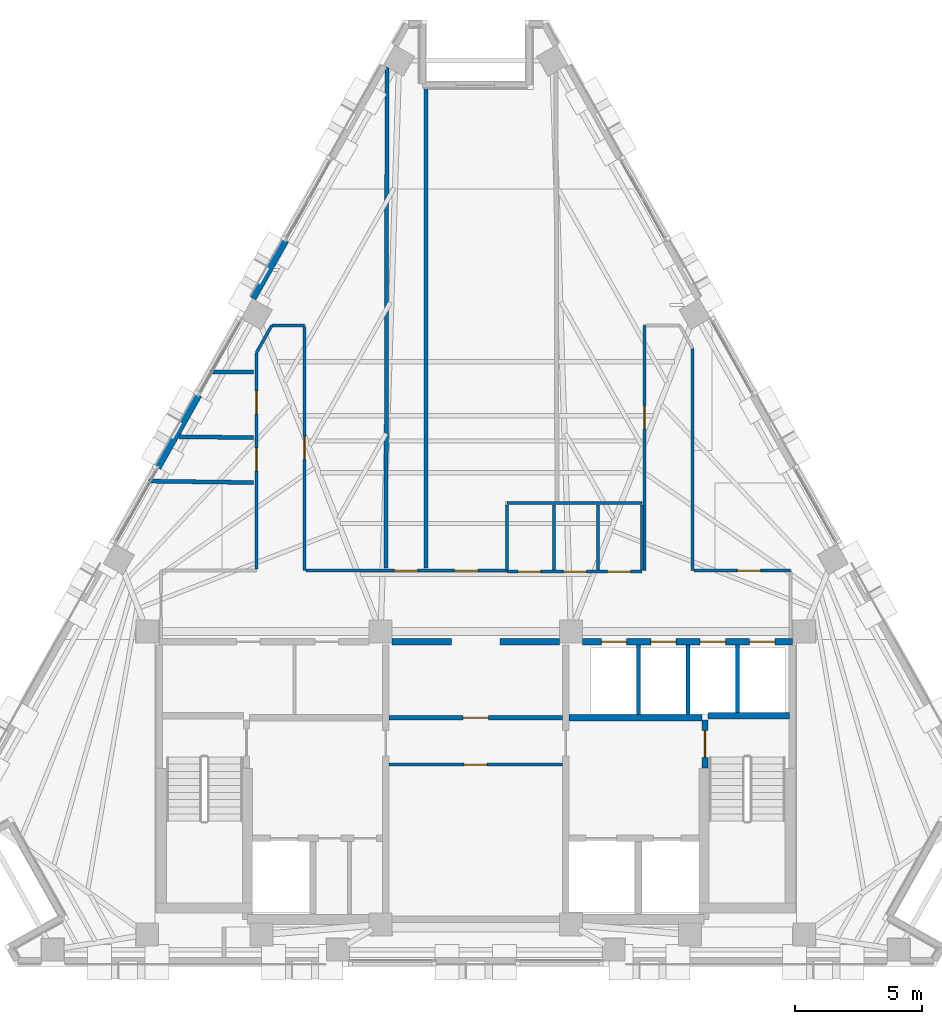
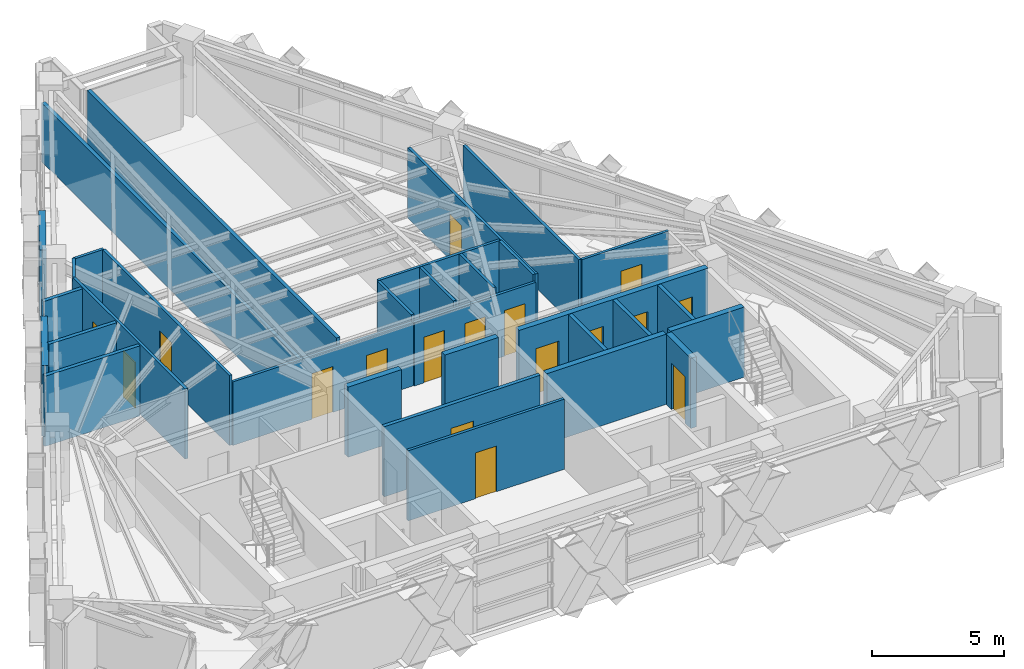
# One storey, part 8 of 12: 32 walls, 17 doors, 17 openings.
"""IFC4 building model written with IfcOpenShell, lengths in metres."""

from ifc_helpers import new_model, si_unit, direction, frame, frame_2d, origin, place, context, subcontext, project, spatial, rectangle, extrude, material, layer, layer_set, type_object, element, fill, save


model = new_model("IFC4")

# Units and contexts
model_context = context("Model", 3, precision=1e-05, world=origin(), true_north=direction((0.0, 1.0)))
body_context = subcontext(model_context, "Body", "Model", "MODEL_VIEW")
ifc_project = project(units=[si_unit("LENGTHUNIT", "METRE"), si_unit("AREAUNIT", "SQUARE_METRE"), si_unit("VOLUMEUNIT", "CUBIC_METRE"), si_unit("PLANEANGLEUNIT", "RADIAN"), si_unit("MASSUNIT", "GRAM", prefix="KILO")], contexts=[model_context])

# Site, building, storey
site_placement = place(None, origin())
site = spatial("IfcSite", under=ifc_project, at=site_placement, CompositionType="ELEMENT")
building_placement = place(site_placement, origin())
building = spatial("IfcBuilding", under=site, at=building_placement, Name="Quenlor Broadcast Tower", CompositionType="ELEMENT")
storey_placement = place(building_placement, frame((0.0, 0.0, 204.39990234375)))
storey = spatial("IfcBuildingStorey", under=building, at=storey_placement, Name="L56", CompositionType="ELEMENT", Elevation=204.39990234375)

# Wall, opening, door
ifc_material_1 = material(Name="Concrete C40/50", Category="concrete")
ifc_layer_1 = layer(ifc_material_1, 0.25)
ifc_layer_set_1 = layer_set([ifc_layer_1], Name="Fire Rated Concrete C40/50 Core Wall 250")
wall_type_1 = type_object("IfcWallType", Name="Fire Rated Concrete C40/50 Core Wall 250", PredefinedType="PARTITIONING", material=ifc_layer_set_1)
wall_1_placement = place(storey_placement, frame((9.0400390625, -10.179931640625, 0.0), z_axis=(0.0, 0.0, 1.0), x_axis=(0.0, 1.0, 0.0)))
wall_1 = element("IfcWall", 1, at=wall_1_placement, inside=storey, type_object=wall_type_1, Name="L56 Interior Wall CW-ST2-DR", PredefinedType="PARTITIONING", context=body_context, shape_type="SweptSolid", body=[
    extrude(rectangle(XDim=1.89990234375, YDim=0.25, at=frame_2d((0.949951171875, 0.0))), origin(), (0.0, 0.0, 1.0), 3.25),
])
opening_1_placement = place(wall_1_placement, frame((0.419921875, 0.0, 0.0)))
opening_1 = element("IfcOpeningElement", 2, at=opening_1_placement, cuts=wall_1, Name="Opening FD-1", PredefinedType="OPENING", context=body_context, shape_type="SweptSolid", body=[
    extrude(rectangle(XDim=1.050048828125, YDim=2.14990234375, at=frame_2d((0.52490234375, 1.074951171875))), frame((0.0, 0.135009765625, 0.0), z_axis=(0.0, -1.0, 0.0), x_axis=(1.0, 0.0, 0.0)), (0.0, 0.0, 1.0), 0.27001953125),
])
ifc_material_2 = material(Name="Fire Rated Steel Door Leaf", Category="steel")
door_type_1 = type_object("IfcDoorType", Name="Fire Isolated Stair Door 1050x2150", OperationType="NOTDEFINED", PredefinedType="DOOR", material=ifc_material_2)
door_1_placement = place(opening_1_placement, origin())
door_1 = element("IfcDoor", 3, at=door_1_placement, inside=storey, type_object=door_type_1, Name="L56 Door DR-ST2", OperationType="SINGLE_SWING_RIGHT", OverallHeight=2.14990234375, OverallWidth=1.050048828125, PredefinedType="DOOR", context=body_context, shape_type="SweptSolid", body=[
    extrude(rectangle(XDim=1.050048828125, YDim=2.14990234375, at=frame_2d((0.52490234375, 1.074951171875))), frame((0.0, 0.02490234375, 0.0), z_axis=(0.0, -1.0, 0.0), x_axis=(1.0, 0.0, 0.0)), (0.0, 0.0, 1.0), 0.050048828125),
])
fill(opening_1, door_1)

# Walls
wall_2_placement = place(storey_placement, frame((9.159912109375, -8.1201171875, 0.0), z_axis=(0.0, 0.0, 1.0), x_axis=(1.0, 0.0, 0.0)))
element("IfcWall", 4, at=wall_2_placement, inside=storey, type_object=wall_type_1, Name="L56 Interior Wall CW-ST2-N", PredefinedType="PARTITIONING", context=body_context, shape_type="SweptSolid", body=[
    extrude(rectangle(XDim=3.219970703125, YDim=0.25, at=frame_2d((1.60986328125, 0.0))), origin(), (0.0, 0.0, 1.0), 3.25),
])
wall_3_placement = place(storey_placement, frame((3.679931640625, -8.199951171875, 0.0), z_axis=(0.0, 0.0, 1.0), x_axis=(1.0, 0.0, 0.0)))
element("IfcWall", 5, at=wall_3_placement, inside=storey, type_object=wall_type_1, Name="L56 Interior Wall CW-FFE-N", PredefinedType="PARTITIONING", context=body_context, shape_type="SweptSolid", body=[
    extrude(rectangle(XDim=5.239990234375, YDim=0.25, at=frame_2d((2.6201171875, 0.0))), origin(), (0.0, 0.0, 1.0), 3.25),
])

# Wall, openings, doors
wall_4_placement = place(storey_placement, frame((4.201904296875, -5.199951171875, 0.0), z_axis=(0.0, 0.0, 1.0), x_axis=(1.0, 0.0, 0.0)))
wall_4 = element("IfcWall", 6, at=wall_4_placement, inside=storey, type_object=wall_type_1, Name="L56 Interior Wall CW-N-E", PredefinedType="PARTITIONING", context=body_context, shape_type="SweptSolid", body=[
    extrude(rectangle(XDim=8.278076171875, YDim=0.25, at=frame_2d((4.13916015625, 0.0))), origin(), (0.0, 0.0, 1.0), 3.25),
])
opening_2_placement = place(wall_4_placement, frame((0.748046875, 0.0, 0.0)))
opening_2 = element("IfcOpeningElement", 7, at=opening_2_placement, cuts=wall_4, Name="Opening LD-PL-H1", PredefinedType="OPENING", context=body_context, shape_type="SweptSolid", body=[
    extrude(rectangle(XDim=1.0, YDim=2.14990234375, at=frame_2d((0.5, 1.074951171875))), frame((0.0, 0.135009765625, 0.0), z_axis=(0.0, -1.0, 0.0), x_axis=(1.0, 0.0, 0.0)), (0.0, 0.0, 1.0), 0.27001953125),
])
opening_3_placement = place(wall_4_placement, frame((2.697998046875, 0.0, 0.0)))
opening_3 = element("IfcOpeningElement", 8, at=opening_3_placement, cuts=wall_4, Name="Opening LD-PL-H2", PredefinedType="OPENING", context=body_context, shape_type="SweptSolid", body=[
    extrude(rectangle(XDim=1.0, YDim=2.14990234375, at=frame_2d((0.5, 1.074951171875))), frame((0.0, 0.135009765625, 0.0), z_axis=(0.0, -1.0, 0.0), x_axis=(1.0, 0.0, 0.0)), (0.0, 0.0, 1.0), 0.27001953125),
])
opening_4_placement = place(wall_4_placement, frame((4.64794921875, 0.0, 0.0)))
opening_4 = element("IfcOpeningElement", 9, at=opening_4_placement, cuts=wall_4, Name="Opening LD-PL-H3", PredefinedType="OPENING", context=body_context, shape_type="SweptSolid", body=[
    extrude(rectangle(XDim=1.0, YDim=2.14990234375, at=frame_2d((0.5, 1.074951171875))), frame((0.0, 0.135009765625, 0.0), z_axis=(0.0, -1.0, 0.0), x_axis=(1.0, 0.0, 0.0)), (0.0, 0.0, 1.0), 0.27001953125),
])
opening_5_placement = place(wall_4_placement, frame((6.597900390625, 0.0, 0.0)))
opening_5 = element("IfcOpeningElement", 10, at=opening_5_placement, cuts=wall_4, Name="Opening LD-PL-H4", PredefinedType="OPENING", context=body_context, shape_type="SweptSolid", body=[
    extrude(rectangle(XDim=1.0, YDim=2.14990234375, at=frame_2d((0.5, 1.074951171875))), frame((0.0, 0.135009765625, 0.0), z_axis=(0.0, -1.0, 0.0), x_axis=(1.0, 0.0, 0.0)), (0.0, 0.0, 1.0), 0.27001953125),
])
ifc_material_3 = material(Name="Brushed Stainless Steel", Category="steel")
door_type_2 = type_object("IfcDoorType", Name="Passenger Lift Sliding Landing Door 1000x2150", OperationType="NOTDEFINED", PredefinedType="DOOR", material=ifc_material_3)
door_2_placement = place(opening_2_placement, origin())
door_2 = element("IfcDoor", 11, at=door_2_placement, inside=storey, type_object=door_type_2, Name="L56 Door LD-PL-H1", OperationType="SLIDING_TO_RIGHT", OverallHeight=2.14990234375, OverallWidth=1.0, PredefinedType="DOOR", context=body_context, shape_type="SweptSolid", body=[
    extrude(rectangle(XDim=1.0, YDim=2.14990234375, at=frame_2d((0.5, 1.074951171875))), frame((0.0, 0.02490234375, 0.0), z_axis=(0.0, -1.0, 0.0), x_axis=(1.0, 0.0, 0.0)), (0.0, 0.0, 1.0), 0.050048828125),
])
fill(opening_2, door_2)
door_3_placement = place(opening_3_placement, origin())
door_3 = element("IfcDoor", 12, at=door_3_placement, inside=storey, type_object=door_type_2, Name="L56 Door LD-PL-H2", OperationType="SLIDING_TO_RIGHT", OverallHeight=2.14990234375, OverallWidth=1.0, PredefinedType="DOOR", context=body_context, shape_type="SweptSolid", body=[
    extrude(rectangle(XDim=1.0, YDim=2.14990234375, at=frame_2d((0.5, 1.074951171875))), frame((0.0, 0.02490234375, 0.0), z_axis=(0.0, -1.0, 0.0), x_axis=(1.0, 0.0, 0.0)), (0.0, 0.0, 1.0), 0.050048828125),
])
fill(opening_3, door_3)
door_4_placement = place(opening_4_placement, origin())
door_4 = element("IfcDoor", 13, at=door_4_placement, inside=storey, type_object=door_type_2, Name="L56 Door LD-PL-H3", OperationType="SLIDING_TO_RIGHT", OverallHeight=2.14990234375, OverallWidth=1.0, PredefinedType="DOOR", context=body_context, shape_type="SweptSolid", body=[
    extrude(rectangle(XDim=1.0, YDim=2.14990234375, at=frame_2d((0.5, 1.074951171875))), frame((0.0, 0.02490234375, 0.0), z_axis=(0.0, -1.0, 0.0), x_axis=(1.0, 0.0, 0.0)), (0.0, 0.0, 1.0), 0.050048828125),
])
fill(opening_4, door_4)
door_5_placement = place(opening_5_placement, origin())
door_5 = element("IfcDoor", 14, at=door_5_placement, inside=storey, type_object=door_type_2, Name="L56 Door LD-PL-H4", OperationType="SLIDING_TO_RIGHT", OverallHeight=2.14990234375, OverallWidth=1.0, PredefinedType="DOOR", context=body_context, shape_type="SweptSolid", body=[
    extrude(rectangle(XDim=1.0, YDim=2.14990234375, at=frame_2d((0.5, 1.074951171875))), frame((0.0, 0.02490234375, 0.0), z_axis=(0.0, -1.0, 0.0), x_axis=(1.0, 0.0, 0.0)), (0.0, 0.0, 1.0), 0.050048828125),
])
fill(opening_5, door_5)

# Walls
for number, where, z_axis, x_axis, name in (
    (15, (-3.298095703125, -5.199951171875, 0.0), (0.0, 0.0, 1.0), (1.0, 0.0, 0.0), "L56 Interior Wall CW-N-M1"),
    (16, (0.949951171875, -5.199951171875, 0.0), (0.0, 0.0, 1.0), (1.0, 0.0, 0.0), "L56 Interior Wall CW-N-M2"),
):
    element("IfcWall", number, at=place(storey_placement, frame(where, z_axis=z_axis, x_axis=x_axis)), inside=storey, type_object=wall_type_1, Name=name, PredefinedType="PARTITIONING", context=body_context, shape_type="SweptSolid", body=[
        extrude(rectangle(XDim=2.34814453125, YDim=0.25, at=frame_2d((1.174072265625, 0.0))), origin(), (0.0, 0.0, 1.0), 3.25),
    ])
ifc_material_4 = material(Name="Gypsum Fireboard Partition", Category="other")
ifc_layer_2 = layer(ifc_material_4, 0.159912109375)
ifc_layer_set_2 = layer_set([ifc_layer_2], Name="Fire Rated Shaft and Corridor Partition 160")
wall_type_2 = type_object("IfcWallType", Name="Fire Rated Shaft and Corridor Partition 160", PredefinedType="PARTITIONING", material=ifc_layer_set_2)
for number, where, z_axis, x_axis, name in (
    (17, (6.425048828125, -8.072998046875, 0.0), (0.0, 0.0, 1.0), (0.0, 1.0, 0.0), "L56 Interior Wall CW-PLH-D1"),
    (18, (8.375, -8.072998046875, 0.0), (0.0, 0.0, 1.0), (0.0, 1.0, 0.0), "L56 Interior Wall CW-PLH-D2"),
):
    element("IfcWall", number, at=place(storey_placement, frame(where, z_axis=z_axis, x_axis=x_axis)), inside=storey, type_object=wall_type_2, Name=name, PredefinedType="PARTITIONING", context=body_context, shape_type="SweptSolid", body=[
        extrude(rectangle(XDim=2.73291015625, YDim=0.159912109375, at=frame_2d((1.366455078125, 0.0))), origin(), (0.0, 0.0, 1.0), 3.25),
    ])
wall_5_placement = place(storey_placement, frame((10.324951171875, -7.992919921875, 0.0), z_axis=(0.0, 0.0, 1.0), x_axis=(0.0, 1.0, 0.0)))
element("IfcWall", 19, at=wall_5_placement, inside=storey, type_object=wall_type_2, Name="L56 Interior Wall CW-PLH-D3", PredefinedType="PARTITIONING", context=body_context, shape_type="SweptSolid", body=[
    extrude(rectangle(XDim=2.65283203125, YDim=0.159912109375, at=frame_2d((1.326416015625, 0.0))), origin(), (0.0, 0.0, 1.0), 3.25),
])

# Wall, opening, door
wall_6_placement = place(storey_placement, frame((-3.419921875, -8.199951171875, 0.0), z_axis=(0.0, 0.0, 1.0), x_axis=(1.0, 0.0, 0.0)))
wall_6 = element("IfcWall", 20, at=wall_6_placement, inside=storey, type_object=wall_type_2, Name="L56 Interior Wall CW-M-BACK", PredefinedType="PARTITIONING", context=body_context, shape_type="SweptSolid", body=[
    extrude(rectangle(XDim=6.83984375, YDim=0.159912109375, at=frame_2d((3.419921875, 0.0))), origin(), (0.0, 0.0, 1.0), 3.25),
])
opening_6_placement = place(wall_6_placement, frame((2.919921875, 0.0, 0.0)))
opening_6 = element("IfcOpeningElement", 21, at=opening_6_placement, cuts=wall_6, Name="Opening FD-2", PredefinedType="OPENING", context=body_context, shape_type="SweptSolid", body=[
    extrude(rectangle(XDim=1.0, YDim=2.14990234375, at=frame_2d((0.5, 1.074951171875))), frame((0.0, 0.08984375, 0.0), z_axis=(0.0, -1.0, 0.0), x_axis=(1.0, 0.0, 0.0)), (0.0, 0.0, 1.0), 0.179931640625),
])
ifc_material_5 = material(Name="Fire Rated Glazed Steel Door", Category="steel")
door_type_3 = type_object("IfcDoorType", Name="Firefighting Lobby Smoke Door 1000x2150", OperationType="NOTDEFINED", PredefinedType="DOOR", material=ifc_material_5)
door_6_placement = place(opening_6_placement, origin())
door_6 = element("IfcDoor", 22, at=door_6_placement, inside=storey, type_object=door_type_3, Name="L56 Door DR-CCRP", OperationType="SINGLE_SWING_LEFT", OverallHeight=2.14990234375, OverallWidth=1.0, PredefinedType="DOOR", context=body_context, shape_type="SweptSolid", body=[
    extrude(rectangle(XDim=1.0, YDim=2.14990234375, at=frame_2d((0.5, 1.074951171875))), frame((0.0, 0.02490234375, 0.0), z_axis=(0.0, -1.0, 0.0), x_axis=(1.0, 0.0, 0.0)), (0.0, 0.0, 1.0), 0.050048828125),
])
fill(opening_6, door_6)

# Walls
wall_7_placement = place(storey_placement, frame((-1.967529296875, 16.6298828125, 0.0), z_axis=(0.0, 0.0, 1.0), x_axis=(0.0, -1.0, 0.0)))
element("IfcWall", 23, at=wall_7_placement, inside=storey, type_object=wall_type_2, Name="L56 Interior Wall PW-DV-01", PredefinedType="PARTITIONING", context=body_context, shape_type="SweptSolid", body=[
    extrude(rectangle(XDim=18.919921875, YDim=0.159912109375, at=frame_2d((9.4599609375, 0.0))), origin(), (0.0, 0.0, 1.0), 3.25),
])
wall_8_placement = place(storey_placement, frame((-3.539794921875, -2.2900390625, 0.0), z_axis=(0.0, 0.0, 1.0), x_axis=(0.002003012872, 0.999997993968, 0.0)))
element("IfcWall", 24, at=wall_8_placement, inside=storey, type_object=wall_type_2, Name="L56 Interior Wall PW-DV-02", PredefinedType="PARTITIONING", context=body_context, shape_type="SweptSolid", body=[
    extrude(rectangle(XDim=19.74560546875, YDim=0.159912109375, at=frame_2d((9.872802734375, 0.0))), origin(), (0.0, 0.0, 1.0), 2.721923828125),
])
wall_9_placement = place(storey_placement, frame((-8.760009765625, 5.429931640625, 0.0), z_axis=(0.0, 0.0, 1.0), x_axis=(-1.0, 0.0, 0.0)))
element("IfcWall", 25, at=wall_9_placement, inside=storey, type_object=wall_type_2, Name="L56 Interior Wall PW-DV-04", PredefinedType="PARTITIONING", context=body_context, shape_type="SweptSolid", body=[
    extrude(rectangle(XDim=1.715576171875, YDim=0.159912109375, at=frame_2d((0.85791015625, 0.0))), origin(), (0.0, 0.0, 1.0), 3.25),
])
wall_10_placement = place(storey_placement, frame((-8.760009765625, 2.84375, 0.0), z_axis=(0.0, 0.0, 1.0), x_axis=(-0.999923216691, 0.012391962013, 0.0)))
element("IfcWall", 26, at=wall_10_placement, inside=storey, type_object=wall_type_2, Name="L56 Interior Wall PW-DV-05", PredefinedType="PARTITIONING", context=body_context, shape_type="SweptSolid", body=[
    extrude(rectangle(XDim=2.935546875, YDim=0.159912109375, at=frame_2d((1.4677734375, 0.0))), origin(), (0.0, 0.0, 1.0), 3.25),
])
wall_11_placement = place(storey_placement, frame((-8.760009765625, 1.072509765625, 0.0), z_axis=(0.0, 0.0, 1.0), x_axis=(-0.999901237572, 0.014054006646, 0.0)))
element("IfcWall", 27, at=wall_11_placement, inside=storey, type_object=wall_type_2, Name="L56 Interior Wall PW-DV-06", PredefinedType="PARTITIONING", context=body_context, shape_type="SweptSolid", body=[
    extrude(rectangle(XDim=4.134521484375, YDim=0.159912109375, at=frame_2d((2.0673828125, 0.0))), origin(), (0.0, 0.0, 1.0), 3.25),
])

# Wall, opening, door
ifc_material_6 = material(Name="Gypsum Plasterboard Partition", Category="other")
ifc_layer_3 = layer(ifc_material_6, 0.1201171875)
ifc_layer_set_3 = layer_set([ifc_layer_3], Name="Standard Office Partition 120")
wall_type_3 = type_object("IfcWallType", Name="Standard Office Partition 120", PredefinedType="PARTITIONING", material=ifc_layer_set_3)
wall_12_placement = place(storey_placement, frame((-3.419921875, -10.050048828125, 0.0), z_axis=(0.0, 0.0, 1.0), x_axis=(1.0, 0.0, 0.0)))
wall_12 = element("IfcWall", 28, at=wall_12_placement, inside=storey, type_object=wall_type_3, Name="L56 Interior Wall CW-MS-N", PredefinedType="PARTITIONING", context=body_context, shape_type="SweptSolid", body=[
    extrude(rectangle(XDim=6.83984375, YDim=0.1201171875, at=frame_2d((3.419921875, 0.0))), origin(), (0.0, 0.0, 1.0), 3.25),
])
opening_7_placement = place(wall_12_placement, frame((2.949951171875, 0.0, 0.0)))
opening_7 = element("IfcOpeningElement", 29, at=opening_7_placement, cuts=wall_12, Name="Opening ID-1", PredefinedType="OPENING", context=body_context, shape_type="SweptSolid", body=[
    extrude(rectangle(XDim=0.919921875, YDim=2.1201171875, at=frame_2d((0.4599609375, 1.06005859375))), frame((0.0, 0.070068359375, 0.0), z_axis=(0.0, -1.0, 0.0), x_axis=(1.0, 0.0, 0.0)), (0.0, 0.0, 1.0), 0.14013671875),
])
ifc_material_7 = material(Name="Solid Core Timber Oak", Category="wood")
door_type_4 = type_object("IfcDoorType", Name="Single Leaf Timber Office Door 920x2120", OperationType="NOTDEFINED", PredefinedType="DOOR", material=ifc_material_7)
door_7_placement = place(opening_7_placement, origin())
door_7 = element("IfcDoor", 30, at=door_7_placement, inside=storey, type_object=door_type_4, Name="L56 Door DR-RCMA", OperationType="SINGLE_SWING_LEFT", OverallHeight=2.1201171875, OverallWidth=0.919921875, PredefinedType="DOOR", context=body_context, shape_type="SweptSolid", body=[
    extrude(rectangle(XDim=0.919921875, YDim=2.1201171875, at=frame_2d((0.4599609375, 1.06005859375))), frame((0.0, 0.02490234375, 0.0), z_axis=(0.0, -1.0, 0.0), x_axis=(1.0, 0.0, 0.0)), (0.0, 0.0, 1.0), 0.050048828125),
])
fill(opening_7, door_7)

# Wall, openings, doors
wall_13_placement = place(storey_placement, frame((1.239990234375, -2.43994140625, 0.0), z_axis=(0.0, 0.0, 1.0), x_axis=(1.0, 0.0, 0.0)))
wall_13 = element("IfcWall", 31, at=wall_13_placement, inside=storey, type_object=wall_type_3, Name="L56 Interior Wall PW-WC-S", PredefinedType="PARTITIONING", context=body_context, shape_type="SweptSolid", body=[
    extrude(rectangle(XDim=5.320068359375, YDim=0.1201171875, at=frame_2d((2.66015625, 0.0))), origin(), (0.0, 0.0, 1.0), 2.94287109375),
])
opening_8_placement = place(wall_13_placement, frame((0.419921875, 0.0, 0.0)))
opening_8 = element("IfcOpeningElement", 32, at=opening_8_placement, cuts=wall_13, Name="Opening ID-3", PredefinedType="OPENING", context=body_context, shape_type="SweptSolid", body=[
    extrude(rectangle(XDim=0.89990234375, YDim=2.1201171875, at=frame_2d((0.449951171875, 1.06005859375))), frame((0.0, 0.070068359375, 0.0), z_axis=(0.0, -1.0, 0.0), x_axis=(1.0, 0.0, 0.0)), (0.0, 0.0, 1.0), 0.14013671875),
])
opening_9_placement = place(wall_13_placement, frame((2.219970703125, 0.0, 0.0)))
opening_9 = element("IfcOpeningElement", 33, at=opening_9_placement, cuts=wall_13, Name="Opening ID-3", PredefinedType="OPENING", context=body_context, shape_type="SweptSolid", body=[
    extrude(rectangle(XDim=0.89990234375, YDim=2.1201171875, at=frame_2d((0.449951171875, 1.06005859375))), frame((0.0, 0.070068359375, 0.0), z_axis=(0.0, -1.0, 0.0), x_axis=(1.0, 0.0, 0.0)), (0.0, 0.0, 1.0), 0.14013671875),
])
opening_10_placement = place(wall_13_placement, frame((3.9599609375, 0.0, 0.0)))
opening_10 = element("IfcOpeningElement", 34, at=opening_10_placement, cuts=wall_13, Name="Opening ID-3", PredefinedType="OPENING", context=body_context, shape_type="SweptSolid", body=[
    extrude(rectangle(XDim=0.89990234375, YDim=2.1201171875, at=frame_2d((0.449951171875, 1.06005859375))), frame((0.0, 0.070068359375, 0.0), z_axis=(0.0, -1.0, 0.0), x_axis=(1.0, 0.0, 0.0)), (0.0, 0.0, 1.0), 0.14013671875),
])
ifc_material_8 = material(Name="Moisture Resistant Timber Oak", Category="wood")
door_type_5 = type_object("IfcDoorType", Name="Washroom Privacy Door 900x2120", OperationType="NOTDEFINED", PredefinedType="DOOR", material=ifc_material_8)
door_8_placement = place(opening_8_placement, origin())
door_8 = element("IfcDoor", 35, at=door_8_placement, inside=storey, type_object=door_type_5, Name="L56 Door DR-AWC", OperationType="SINGLE_SWING_LEFT", OverallHeight=2.1201171875, OverallWidth=0.89990234375, PredefinedType="DOOR", context=body_context, shape_type="SweptSolid", body=[
    extrude(rectangle(XDim=0.89990234375, YDim=2.1201171875, at=frame_2d((0.449951171875, 1.06005859375))), frame((0.0, 0.02490234375, 0.0), z_axis=(0.0, -1.0, 0.0), x_axis=(1.0, 0.0, 0.0)), (0.0, 0.0, 1.0), 0.050048828125),
])
fill(opening_8, door_8)
door_9_placement = place(opening_9_placement, origin())
door_9 = element("IfcDoor", 36, at=door_9_placement, inside=storey, type_object=door_type_5, Name="L56 Door DR-MWC", OperationType="SINGLE_SWING_LEFT", OverallHeight=2.1201171875, OverallWidth=0.89990234375, PredefinedType="DOOR", context=body_context, shape_type="SweptSolid", body=[
    extrude(rectangle(XDim=0.89990234375, YDim=2.1201171875, at=frame_2d((0.449951171875, 1.06005859375))), frame((0.0, 0.02490234375, 0.0), z_axis=(0.0, -1.0, 0.0), x_axis=(1.0, 0.0, 0.0)), (0.0, 0.0, 1.0), 0.050048828125),
])
fill(opening_9, door_9)
door_10_placement = place(opening_10_placement, origin())
door_10 = element("IfcDoor", 37, at=door_10_placement, inside=storey, type_object=door_type_5, Name="L56 Door DR-FWC", OperationType="SINGLE_SWING_RIGHT", OverallHeight=2.1201171875, OverallWidth=0.89990234375, PredefinedType="DOOR", context=body_context, shape_type="SweptSolid", body=[
    extrude(rectangle(XDim=0.89990234375, YDim=2.1201171875, at=frame_2d((0.449951171875, 1.06005859375))), frame((0.0, 0.02490234375, 0.0), z_axis=(0.0, -1.0, 0.0), x_axis=(1.0, 0.0, 0.0)), (0.0, 0.0, 1.0), 0.050048828125),
])
fill(opening_10, door_10)

# Walls
wall_14_placement = place(storey_placement, frame((1.239990234375, 0.260009765625, 0.0), z_axis=(0.0, 0.0, 1.0), x_axis=(1.0, 0.0, 0.0)))
element("IfcWall", 38, at=wall_14_placement, inside=storey, type_object=wall_type_3, Name="L56 Interior Wall PW-WC-N", PredefinedType="PARTITIONING", context=body_context, shape_type="SweptSolid", body=[
    extrude(rectangle(XDim=5.320068359375, YDim=0.1201171875, at=frame_2d((2.66015625, 0.0))), origin(), (0.0, 0.0, 1.0), 3.25),
])
for number, where, z_axis, x_axis, name in (
    (39, (1.239990234375, -2.3779296875, 0.0), (0.0, 0.0, 1.0), (0.0, 1.0, 0.0), "L56 Interior Wall PW-WC-W"),
    (40, (3.080078125, -2.3779296875, 0.0), (0.0, 0.0, 1.0), (0.0, 1.0, 0.0), "L56 Interior Wall PW-WC-M1"),
    (41, (4.820068359375, -2.3779296875, 0.0), (0.0, 0.0, 1.0), (0.0, 1.0, 0.0), "L56 Interior Wall PW-WC-M2"),
    (42, (6.56005859375, -2.3779296875, 0.0), (0.0, 0.0, 1.0), (0.0, 1.0, 0.0), "L56 Interior Wall PW-WC-E"),
):
    element("IfcWall", number, at=place(storey_placement, frame(where, z_axis=z_axis, x_axis=x_axis)), inside=storey, type_object=wall_type_3, Name=name, PredefinedType="PARTITIONING", context=body_context, shape_type="SweptSolid", body=[
        extrude(rectangle(XDim=2.575927734375, YDim=0.1201171875, at=frame_2d((1.2880859375, 0.0))), origin(), (0.0, 0.0, 1.0), 3.25),
    ])

# Wall, openings, doors
wall_15_placement = place(storey_placement, frame((-8.64990234375, -2.337890625, 0.0), z_axis=(0.0, 0.0, 1.0), x_axis=(0.0, 1.0, 0.0)))
wall_15 = element("IfcWall", 43, at=wall_15_placement, inside=storey, type_object=wall_type_3, Name="L56 Interior Wall PW-CR-03", PredefinedType="PARTITIONING", context=body_context, shape_type="SweptSolid", body=[
    extrude(rectangle(XDim=8.52490234375, YDim=0.1201171875, at=frame_2d((4.262451171875, 0.0))), origin(), (0.0, 0.0, 1.0), 3.25),
])
opening_11_placement = place(wall_15_placement, frame((6.10888671875, 0.0, 0.0)))
opening_11 = element("IfcOpeningElement", 44, at=opening_11_placement, cuts=wall_15, Name="Opening ID-1", PredefinedType="OPENING", context=body_context, shape_type="SweptSolid", body=[
    extrude(rectangle(XDim=0.919921875, YDim=2.1201171875, at=frame_2d((0.4599609375, 1.06005859375))), frame((0.0, 0.070068359375, 0.0), z_axis=(0.0, -1.0, 0.0), x_axis=(1.0, 0.0, 0.0)), (0.0, 0.0, 1.0), 0.14013671875),
])
opening_12_placement = place(wall_15_placement, frame((3.863037109375, 0.0, 0.0)))
opening_12 = element("IfcOpeningElement", 45, at=opening_12_placement, cuts=wall_15, Name="Opening ID-1", PredefinedType="OPENING", context=body_context, shape_type="SweptSolid", body=[
    extrude(rectangle(XDim=0.919921875, YDim=2.1201171875, at=frame_2d((0.4599609375, 1.06005859375))), frame((0.0, 0.070068359375, 0.0), z_axis=(0.0, -1.0, 0.0), x_axis=(1.0, 0.0, 0.0)), (0.0, 0.0, 1.0), 0.14013671875),
])
door_11_placement = place(opening_11_placement, origin())
door_11 = element("IfcDoor", 46, at=door_11_placement, inside=storey, type_object=door_type_4, Name="L56 Door DR-RM05", OperationType="SINGLE_SWING_RIGHT", OverallHeight=2.1201171875, OverallWidth=0.919921875, PredefinedType="DOOR", context=body_context, shape_type="SweptSolid", body=[
    extrude(rectangle(XDim=0.919921875, YDim=2.1201171875, at=frame_2d((0.4599609375, 1.06005859375))), frame((0.0, 0.02490234375, 0.0), z_axis=(0.0, -1.0, 0.0), x_axis=(1.0, 0.0, 0.0)), (0.0, 0.0, 1.0), 0.050048828125),
])
fill(opening_11, door_11)
door_12_placement = place(opening_12_placement, origin())
door_12 = element("IfcDoor", 47, at=door_12_placement, inside=storey, type_object=door_type_4, Name="L56 Door DR-RM06", OperationType="SINGLE_SWING_LEFT", OverallHeight=2.1201171875, OverallWidth=0.919921875, PredefinedType="DOOR", context=body_context, shape_type="SweptSolid", body=[
    extrude(rectangle(XDim=0.919921875, YDim=2.1201171875, at=frame_2d((0.4599609375, 1.06005859375))), frame((0.0, 0.02490234375, 0.0), z_axis=(0.0, -1.0, 0.0), x_axis=(1.0, 0.0, 0.0)), (0.0, 0.0, 1.0), 0.050048828125),
])
fill(opening_12, door_12)

# Walls
wall_16_placement = place(storey_placement, frame((-8.64892578125, 6.18896484375, 0.0), z_axis=(0.0, 0.0, 1.0), x_axis=(0.490298618985, 0.871554510183, 0.0)))
element("IfcWall", 48, at=wall_16_placement, inside=storey, type_object=wall_type_3, Name="L56 Interior Wall PW-CR-04", PredefinedType="PARTITIONING", context=body_context, shape_type="SweptSolid", body=[
    extrude(rectangle(XDim=1.240478515625, YDim=0.1201171875, at=frame_2d((0.6201171875, 0.0))), origin(), (0.0, 0.0, 1.0), 3.25),
])
wall_17_placement = place(storey_placement, frame((-8.03662109375, 7.27001953125, 0.0), z_axis=(0.0, 0.0, 1.0), x_axis=(1.0, 0.0, 0.0)))
element("IfcWall", 49, at=wall_17_placement, inside=storey, type_object=wall_type_3, Name="L56 Interior Wall PW-CR-05", PredefinedType="PARTITIONING", context=body_context, shape_type="SweptSolid", body=[
    extrude(rectangle(XDim=1.28662109375, YDim=0.1201171875, at=frame_2d((0.643310546875, 0.0))), origin(), (0.0, 0.0, 1.0), 3.25),
])

# Wall, opening, door
wall_18_placement = place(storey_placement, frame((-6.75, 7.2080078125, 0.0), z_axis=(0.0, 0.0, 1.0), x_axis=(0.0, -1.0, 0.0)))
wall_18 = element("IfcWall", 50, at=wall_18_placement, inside=storey, type_object=wall_type_3, Name="L56 Interior Wall PW-CR-06", PredefinedType="PARTITIONING", context=body_context, shape_type="SweptSolid", body=[
    extrude(rectangle(XDim=9.60791015625, YDim=0.1201171875, at=frame_2d((4.803955078125, 0.0))), origin(), (0.0, 0.0, 1.0), 3.25),
])
opening_13_placement = place(wall_18_placement, frame((4.31298828125, 0.0, 0.0)))
opening_13 = element("IfcOpeningElement", 51, at=opening_13_placement, cuts=wall_18, Name="Opening ID-1", PredefinedType="OPENING", context=body_context, shape_type="SweptSolid", body=[
    extrude(rectangle(XDim=0.919921875, YDim=2.1201171875, at=frame_2d((0.4599609375, 1.06005859375))), frame((0.0, 0.070068359375, 0.0), z_axis=(0.0, -1.0, 0.0), x_axis=(1.0, 0.0, 0.0)), (0.0, 0.0, 1.0), 0.14013671875),
])
door_13_placement = place(opening_13_placement, origin())
door_13 = element("IfcDoor", 52, at=door_13_placement, inside=storey, type_object=door_type_4, Name="L56 Door DR-RM04", OperationType="SINGLE_SWING_LEFT", OverallHeight=2.1201171875, OverallWidth=0.919921875, PredefinedType="DOOR", context=body_context, shape_type="SweptSolid", body=[
    extrude(rectangle(XDim=0.919921875, YDim=2.1201171875, at=frame_2d((0.4599609375, 1.06005859375))), frame((0.0, 0.02490234375, 0.0), z_axis=(0.0, -1.0, 0.0), x_axis=(1.0, 0.0, 0.0)), (0.0, 0.0, 1.0), 0.050048828125),
])
fill(opening_13, door_13)

# Wall, openings, doors
wall_19_placement = place(storey_placement, frame((-6.68798828125, -2.39990234375, 0.0), z_axis=(0.0, 0.0, 1.0), x_axis=(1.0, 0.0, 0.0)))
wall_19 = element("IfcWall", 53, at=wall_19_placement, inside=storey, type_object=wall_type_3, Name="L56 Interior Wall PW-CR-07", PredefinedType="PARTITIONING", context=body_context, shape_type="SweptSolid", body=[
    extrude(rectangle(XDim=7.926025390625, YDim=0.1201171875, at=frame_2d((3.962890625, 0.0))), origin(), (0.0, 0.0, 1.0), 2.94287109375),
])
opening_14_placement = place(wall_19_placement, frame((3.47412109375, 0.0, 0.0)))
opening_14 = element("IfcOpeningElement", 54, at=opening_14_placement, cuts=wall_19, Name="Opening ID-1", PredefinedType="OPENING", context=body_context, shape_type="SweptSolid", body=[
    extrude(rectangle(XDim=0.919921875, YDim=2.1201171875, at=frame_2d((0.4599609375, 1.06005859375))), frame((0.0, 0.070068359375, 0.0), z_axis=(0.0, -1.0, 0.0), x_axis=(1.0, 0.0, 0.0)), (0.0, 0.0, 1.0), 0.14013671875),
])
opening_15_placement = place(wall_19_placement, frame((5.85400390625, 0.0, 0.0)))
opening_15 = element("IfcOpeningElement", 55, at=opening_15_placement, cuts=wall_19, Name="Opening ID-1", PredefinedType="OPENING", context=body_context, shape_type="SweptSolid", body=[
    extrude(rectangle(XDim=0.919921875, YDim=2.1201171875, at=frame_2d((0.4599609375, 1.06005859375))), frame((0.0, 0.070068359375, 0.0), z_axis=(0.0, -1.0, 0.0), x_axis=(1.0, 0.0, 0.0)), (0.0, 0.0, 1.0), 0.14013671875),
])
door_14_placement = place(opening_14_placement, origin())
door_14 = element("IfcDoor", 56, at=door_14_placement, inside=storey, type_object=door_type_4, Name="L56 Door DR-RM01", OperationType="SINGLE_SWING_RIGHT", OverallHeight=2.1201171875, OverallWidth=0.919921875, PredefinedType="DOOR", context=body_context, shape_type="SweptSolid", body=[
    extrude(rectangle(XDim=0.919921875, YDim=2.1201171875, at=frame_2d((0.4599609375, 1.06005859375))), frame((0.0, 0.02490234375, 0.0), z_axis=(0.0, -1.0, 0.0), x_axis=(1.0, 0.0, 0.0)), (0.0, 0.0, 1.0), 0.050048828125),
])
fill(opening_14, door_14)
door_15_placement = place(opening_15_placement, origin())
door_15 = element("IfcDoor", 57, at=door_15_placement, inside=storey, type_object=door_type_4, Name="L56 Door DR-RM02", OperationType="SINGLE_SWING_LEFT", OverallHeight=2.1201171875, OverallWidth=0.919921875, PredefinedType="DOOR", context=body_context, shape_type="SweptSolid", body=[
    extrude(rectangle(XDim=0.919921875, YDim=2.1201171875, at=frame_2d((0.4599609375, 1.06005859375))), frame((0.0, 0.02490234375, 0.0), z_axis=(0.0, -1.0, 0.0), x_axis=(1.0, 0.0, 0.0)), (0.0, 0.0, 1.0), 0.050048828125),
])
fill(opening_15, door_15)

# Wall, opening, door
wall_20_placement = place(storey_placement, frame((6.64990234375, -2.39990234375, 0.0), z_axis=(0.0, 0.0, 1.0), x_axis=(0.0, 1.0, 0.0)))
wall_20 = element("IfcWall", 58, at=wall_20_placement, inside=storey, type_object=wall_type_3, Name="L56 Interior Wall PW-CR-08", PredefinedType="PARTITIONING", context=body_context, shape_type="SweptSolid", body=[
    extrude(rectangle(XDim=9.669921875, YDim=0.1201171875, at=frame_2d((4.8349609375, 0.0))), origin(), (0.0, 0.0, 1.0), 3.25),
])
opening_16_placement = place(wall_20_placement, frame((5.5859375, 0.0, 0.0)))
opening_16 = element("IfcOpeningElement", 59, at=opening_16_placement, cuts=wall_20, Name="Opening ID-1", PredefinedType="OPENING", context=body_context, shape_type="SweptSolid", body=[
    extrude(rectangle(XDim=0.919921875, YDim=2.1201171875, at=frame_2d((0.4599609375, 1.06005859375))), frame((0.0, 0.070068359375, 0.0), z_axis=(0.0, -1.0, 0.0), x_axis=(1.0, 0.0, 0.0)), (0.0, 0.0, 1.0), 0.14013671875),
])
door_16_placement = place(opening_16_placement, origin())
door_16 = element("IfcDoor", 60, at=door_16_placement, inside=storey, type_object=door_type_4, Name="L56 Door DR-RM03", OperationType="SINGLE_SWING_RIGHT", OverallHeight=2.1201171875, OverallWidth=0.919921875, PredefinedType="DOOR", context=body_context, shape_type="SweptSolid", body=[
    extrude(rectangle(XDim=0.919921875, YDim=2.1201171875, at=frame_2d((0.4599609375, 1.06005859375))), frame((0.0, 0.02490234375, 0.0), z_axis=(0.0, -1.0, 0.0), x_axis=(1.0, 0.0, 0.0)), (0.0, 0.0, 1.0), 0.050048828125),
])
fill(opening_16, door_16)

# Wall
wall_21_placement = place(storey_placement, frame((8.550048828125, 6.362548828125, 0.0), z_axis=(0.0, 0.0, 1.0), x_axis=(0.0, -1.0, 0.0)))
element("IfcWall", 61, at=wall_21_placement, inside=storey, type_object=wall_type_3, Name="L56 Interior Wall PW-CR-11", PredefinedType="PARTITIONING", context=body_context, shape_type="SweptSolid", body=[
    extrude(rectangle(XDim=8.762451171875, YDim=0.1201171875, at=frame_2d((4.38134765625, 0.0))), origin(), (0.0, 0.0, 1.0), 3.25),
])

# Wall, opening, door
wall_22_placement = place(storey_placement, frame((8.612060546875, -2.39990234375, 0.0), z_axis=(0.0, 0.0, 1.0), x_axis=(1.0, 0.0, 0.0)))
wall_22 = element("IfcWall", 62, at=wall_22_placement, inside=storey, type_object=wall_type_3, Name="L56 Interior Wall PW-CR-12", PredefinedType="PARTITIONING", context=body_context, shape_type="SweptSolid", body=[
    extrude(rectangle(XDim=3.7978515625, YDim=0.1201171875, at=frame_2d((1.89892578125, 0.0))), origin(), (0.0, 0.0, 1.0), 3.25),
])
opening_17_placement = place(wall_22_placement, frame((1.7041015625, 0.0, 0.0)))
opening_17 = element("IfcOpeningElement", 63, at=opening_17_placement, cuts=wall_22, Name="Opening ID-1", PredefinedType="OPENING", context=body_context, shape_type="SweptSolid", body=[
    extrude(rectangle(XDim=0.919921875, YDim=2.1201171875, at=frame_2d((0.4599609375, 1.06005859375))), frame((0.0, 0.070068359375, 0.0), z_axis=(0.0, -1.0, 0.0), x_axis=(1.0, 0.0, 0.0)), (0.0, 0.0, 1.0), 0.14013671875),
])
door_17_placement = place(opening_17_placement, origin())
door_17 = element("IfcDoor", 64, at=door_17_placement, inside=storey, type_object=door_type_4, Name="L56 Door DR-RM08", OperationType="SINGLE_SWING_LEFT", OverallHeight=2.1201171875, OverallWidth=0.919921875, PredefinedType="DOOR", context=body_context, shape_type="SweptSolid", body=[
    extrude(rectangle(XDim=0.919921875, YDim=2.1201171875, at=frame_2d((0.4599609375, 1.06005859375))), frame((0.0, 0.02490234375, 0.0), z_axis=(0.0, -1.0, 0.0), x_axis=(1.0, 0.0, 0.0)), (0.0, 0.0, 1.0), 0.050048828125),
])
fill(opening_17, door_17)

# Walls
ifc_material_9 = material(Name="Precast concrete C40/50", Category="concrete")
ifc_layer_4 = layer(ifc_material_9, 0.260009765625)
ifc_layer_set_4 = layer_set([ifc_layer_4], Name="Terracotta Precast Concrete C40/50 Upper Wall 260")
wall_type_4 = type_object("IfcWallType", Name="Terracotta Precast Concrete C40/50 Upper Wall 260", PredefinedType="STANDARD", material=ifc_layer_set_4)
wall_23_placement = place(storey_placement, frame((-8.777099609375, 8.33740234375, 0.0), z_axis=(0.0, 0.0, 1.0), x_axis=(0.490301099378, 0.871553114818, 0.0)))
element("IfcWall", 65, at=wall_23_placement, inside=storey, type_object=wall_type_4, Name="L56 Exterior Wall L56-NWC-SP1", PredefinedType="STANDARD", context=body_context, shape_type="SweptSolid", body=[
    extrude(rectangle(XDim=2.6171875, YDim=0.260009765625, at=frame_2d((1.30859375, 0.0))), origin(), (0.0, 0.0, 1.0), 3.25),
])
wall_24_placement = place(storey_placement, frame((-12.53466796875, 1.6572265625, 0.0), z_axis=(0.0, 0.0, 1.0), x_axis=(0.490264765862, 0.871573553611, 0.0)))
element("IfcWall", 66, at=wall_24_placement, inside=storey, type_object=wall_type_4, Name="L56 Exterior Wall L56-NW-SP1", PredefinedType="STANDARD", context=body_context, shape_type="SweptSolid", body=[
    extrude(rectangle(XDim=3.287109375, YDim=0.260009765625, at=frame_2d((1.6435546875, 0.0))), origin(), (0.0, 0.0, 1.0), 3.25),
])

save(model, "model.ifc")
